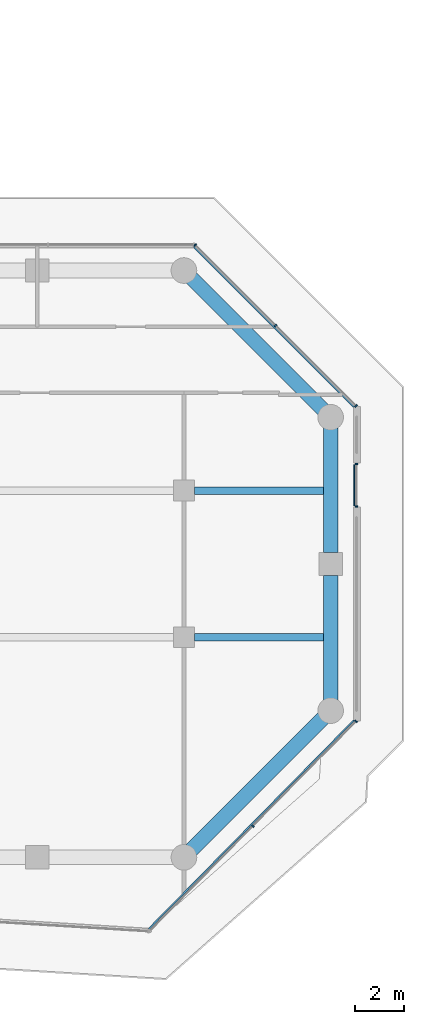
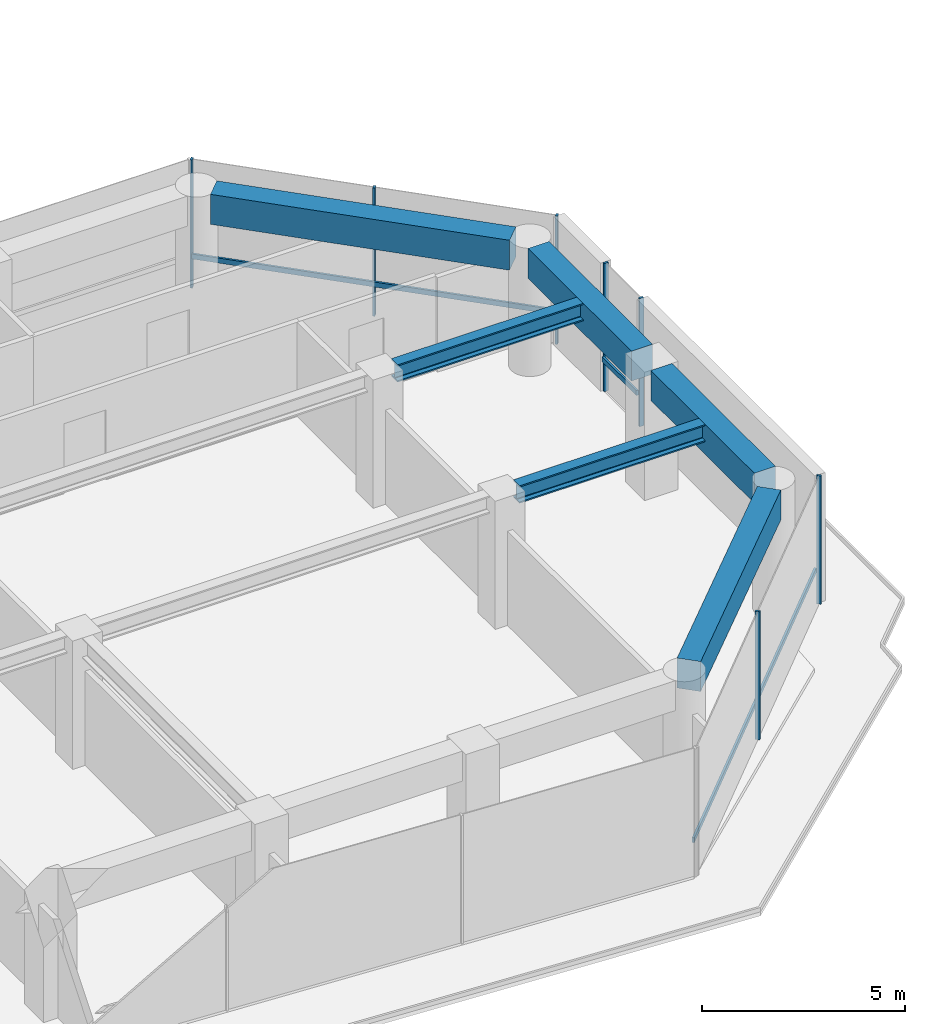
# One storey, part 18 of 27: 10 members, 6 beams, 3 elements without a shape of their own.
"""IFC4 building model written with IfcOpenShell, lengths in metres."""

import ifcopenshell
import ifcopenshell.guid

model = None  # the IFC model being written
_history = None  # IfcOwnerHistory: only IFC2X3 demands one
_inside = {}  # id of a spatial element -> (the spatial element, [elements in it])
_under = {}  # id of a project, library or spatial element -> (it, [spatial elements below it])
_declared = {}  # id of a project -> (the project, [libraries it declares])
_typed = {}  # id of a type object -> (the type object, [elements of that type])
_made_of = {}  # id of a material, layer set ... -> (it, [elements and type objects made of it])


def new_model(schema):
    """Start an empty IFC model of exactly this schema.

    Asked for "IFC4X3", IfcOpenShell would pick the latest addendum, in which some entities
    have other attributes; the version numbers below select the first issue.
    IFC2X3 requires an IfcOwnerHistory on every rooted entity: one is made here for all.
    """
    global model, _history
    if schema == "IFC4X3":
        model = ifcopenshell.file(schema_version=(4, 3, 0, 0))
    else:
        model = ifcopenshell.file(schema=schema)
    _inside.clear()
    _under.clear()
    _declared.clear()
    _typed.clear()
    _made_of.clear()
    _history = None
    if model.schema == "IFC2X3":
        org = make("IfcOrganization", Name="unknown")
        user = make(
            "IfcPersonAndOrganization",
            ThePerson=make("IfcPerson", FamilyName="unknown"),
            TheOrganization=org,
        )
        app = make(
            "IfcApplication",
            ApplicationDeveloper=org,
            Version="unknown",
            ApplicationFullName="unknown",
            ApplicationIdentifier="unknown",
        )
        _history = make(
            "IfcOwnerHistory",
            OwningUser=user,
            OwningApplication=app,
            ChangeAction="ADDED",
            CreationDate=0,
        )
    return model


def make(cls, **values):
    """One entity of the class cls with the attributes given. An attribute that is None is left unset."""
    return model.create_entity(
        cls, **{name: value for name, value in values.items() if value is not None}
    )


def rooted(cls, **values):
    """An entity with a GlobalId (a new one), such as an element, a storey or a relation."""
    return make(cls, GlobalId=ifcopenshell.guid.new(), OwnerHistory=_history, **values)


def si_unit(unit_type, name, prefix=None):
    """IfcSIUnit, for example si_unit("LENGTHUNIT", "METRE", prefix="MILLI")."""
    return make("IfcSIUnit", UnitType=unit_type, Prefix=prefix, Name=name)


def assignment(units):
    """IfcUnitAssignment: the units of a project."""
    return None if units is None else make("IfcUnitAssignment", Units=units)


def point(xyz):
    """IfcCartesianPoint."""
    return None if xyz is None else make("IfcCartesianPoint", Coordinates=xyz)


def direction(xyz):
    """IfcDirection."""
    return None if xyz is None else make("IfcDirection", DirectionRatios=xyz)


def frame(location, z_axis=None, x_axis=None):
    """IfcAxis2Placement3D, a coordinate frame: its origin and axes. An axis left out is left unset."""
    return make(
        "IfcAxis2Placement3D",
        Location=point(location),
        Axis=direction(z_axis),
        RefDirection=direction(x_axis),
    )


def frame_2d(location, x_axis=None):
    """IfcAxis2Placement2D, a coordinate frame in the plane: its origin and x axis."""
    return make(
        "IfcAxis2Placement2D", Location=point(location), RefDirection=direction(x_axis)
    )


def origin():
    """The frame at (0, 0, 0) with its axes left unset."""
    return frame((0.0, 0.0, 0.0))


def origin_2d():
    """The frame at (0, 0) in the plane with its x axis left unset."""
    return frame_2d((0.0, 0.0))


def place(relative_to, where):
    """IfcLocalPlacement: puts the frame where relative to a parent placement (None: the world)."""
    return make(
        "IfcLocalPlacement", PlacementRelTo=relative_to, RelativePlacement=where
    )


def context(
    kind, dimensions, precision=None, world=None, true_north=None, identifier=None
):
    """IfcGeometricRepresentationContext, for example the 3D "Model" context."""
    return make(
        "IfcGeometricRepresentationContext",
        ContextIdentifier=identifier,
        ContextType=kind,
        CoordinateSpaceDimension=dimensions,
        Precision=precision,
        WorldCoordinateSystem=world,
        TrueNorth=true_north,
    )


def subcontext(parent, identifier, kind, view, scale=None):
    """IfcGeometricRepresentationSubContext, for example "Body" below "Model"."""
    return make(
        "IfcGeometricRepresentationSubContext",
        ContextIdentifier=identifier,
        ContextType=kind,
        ParentContext=parent,
        TargetScale=scale,
        TargetView=view,
    )


def project(units=None, contexts=None):
    """IfcProject with its units and contexts."""
    return rooted(
        "IfcProject",
        Name="project",
        RepresentationContexts=contexts,
        UnitsInContext=assignment(units),
    )


def spatial(cls, under=None, at=None, **own):
    """A site, building, storey or space (cls), placed at a placement, below another one or the project."""
    s = rooted(cls, ObjectPlacement=at, **own)
    if under is not None:
        _under.setdefault(under.id(), (under, []))[1].append(s)
    return s


def profile(cls, at=None, kind="AREA", **sizes):
    """A parametric profile (cls). Its sizes go by their IFC names, for example OverallWidth=200.0."""
    return make(cls, ProfileType=kind, Position=at, **sizes)


def rectangle(**sizes):
    """IfcRectangleProfileDef."""
    return profile("IfcRectangleProfileDef", **sizes)


def i_section(**sizes):
    """IfcIShapeProfileDef."""
    return profile("IfcIShapeProfileDef", **sizes)


def extrude(swept, where, along, depth):
    """IfcExtrudedAreaSolid: the profile swept, set in the frame where, extruded along a direction by depth."""
    return make(
        "IfcExtrudedAreaSolid",
        SweptArea=swept,
        Position=where,
        ExtrudedDirection=direction(along),
        Depth=depth,
    )


def shape(context_of_items, identifier, shape_type, items):
    """IfcShapeRepresentation: the items that make up one representation, for example the "Body"."""
    return make(
        "IfcShapeRepresentation",
        ContextOfItems=context_of_items,
        RepresentationIdentifier=identifier,
        RepresentationType=shape_type,
        Items=items,
    )


def material(Name=None, Category=None):
    """IfcMaterial."""
    return make("IfcMaterial", Name=Name, Category=Category)


def layer(
    of_material, thickness, ventilated=None, Name=None, Category=None, Priority=None
):
    """IfcMaterialLayer: one layer of a wall or slab, of a material (None: an air gap)."""
    return make(
        "IfcMaterialLayer",
        Material=of_material,
        LayerThickness=thickness,
        IsVentilated=ventilated,
        Name=Name,
        Category=Category,
        Priority=Priority,
    )


def layer_set(layers, Name=None):
    """IfcMaterialLayerSet."""
    return make("IfcMaterialLayerSet", MaterialLayers=layers, LayerSetName=Name)


def material_profile(
    of_material, cross_section, Name=None, Category=None, Priority=None
):
    """IfcMaterialProfile: a cross section and its material."""
    return make(
        "IfcMaterialProfile",
        Name=Name,
        Material=of_material,
        Profile=cross_section,
        Priority=Priority,
        Category=Category,
    )


def profile_set(profiles, Name=None, composite=None):
    """IfcMaterialProfileSet."""
    return make(
        "IfcMaterialProfileSet",
        Name=Name,
        MaterialProfiles=profiles,
        CompositeProfile=composite,
    )


def made_of(thing, what):
    """Note that an element or type object is made of a material, layer set ...; save() writes the relation."""
    if what is not None:
        _made_of.setdefault(what.id(), (what, []))[1].append(thing)
    return thing


def type_object(cls, material=None, **own):
    """A type object (cls), such as IfcWallType, which elements share."""
    return made_of(rooted(cls, **own), material)


def element(
    cls,
    number,
    at=None,
    inside=None,
    cuts=None,
    type_object=None,
    material=None,
    context=None,
    identifier="Body",
    shape_type=None,
    held_by="IfcProductDefinitionShape",
    body=None,
    shapes=None,
    **own,
):
    """One element of the class cls, such as IfcWall. Its Tag is "e" and its number.

    at: its placement. inside: the storey or other place that contains it. cuts: it is an
    opening in that element (IfcRelVoidsElement). A single representation is given by context,
    identifier, shape_type and body (its items); several are given by shapes. held_by: the class
    of the entity that holds the representations. save() writes the other relations.
    """
    e = rooted(cls, Tag="e%d" % number, ObjectPlacement=at, **own)
    if body is not None:
        shapes = [shape(context, identifier, shape_type, body)]
    if shapes is not None:
        e.Representation = make(held_by, Representations=shapes)
    if inside is not None:
        _inside.setdefault(inside.id(), (inside, []))[1].append(e)
    if cuts is not None:
        rooted(
            "IfcRelVoidsElement", RelatingBuildingElement=cuts, RelatedOpeningElement=e
        )
    if type_object is not None:
        _typed.setdefault(type_object.id(), (type_object, []))[1].append(e)
    return made_of(e, material)


def aggregate(whole, parts):
    """IfcRelAggregates: a whole, such as a stair, and the parts it consists of."""
    return rooted("IfcRelAggregates", RelatingObject=whole, RelatedObjects=parts)


def save(model, path):
    """Write the relations noted so far, then the file.

    IfcRelAggregates (storeys below a building ...), IfcRelContainedInSpatialStructure (elements
    in a storey), IfcRelDefinesByType, IfcRelAssociatesMaterial and IfcRelDeclares: one each for
    every whole, place, type object, material and project.
    """
    for whole, parts in _under.values():
        aggregate(whole, parts)
    for where, things in _inside.values():
        rooted(
            "IfcRelContainedInSpatialStructure",
            RelatedElements=things,
            RelatingStructure=where,
        )
    for kind, things in _typed.values():
        rooted("IfcRelDefinesByType", RelatedObjects=things, RelatingType=kind)
    for what, things in _made_of.values():
        rooted("IfcRelAssociatesMaterial", RelatedObjects=things, RelatingMaterial=what)
    for by, libraries in _declared.values():
        rooted("IfcRelDeclares", RelatingContext=by, RelatedDefinitions=libraries)
    model.write(path)


model = new_model("IFC4")

# Units and contexts
model_context = context("Model", 3, precision=1e-05, world=origin(), true_north=direction((0.0, 1.0)))
body_context = subcontext(model_context, "Body", "Model", "MODEL_VIEW")
ifc_project = project(units=[si_unit("LENGTHUNIT", "METRE"), si_unit("AREAUNIT", "SQUARE_METRE"), si_unit("VOLUMEUNIT", "CUBIC_METRE"), si_unit("PLANEANGLEUNIT", "RADIAN"), si_unit("MASSUNIT", "GRAM", prefix="KILO")], contexts=[model_context])

# Site, building, storey
site_placement = place(None, origin())
site = spatial("IfcSite", under=ifc_project, at=site_placement, CompositionType="ELEMENT")
building_placement = place(site_placement, origin())
building = spatial("IfcBuilding", under=site, at=building_placement, Name="Welwitschia Terrace Campus", CompositionType="ELEMENT")
storey_placement = place(building_placement, frame((0.0, 0.0, 37.39990234375)))
storey = spatial("IfcBuildingStorey", under=building, at=storey_placement, Name="L08", CompositionType="ELEMENT", Elevation=37.39990234375)

# Beams
ifc_material_1 = material(Name="Steel S355", Category="steel")
ifc_material_profile_1 = material_profile(ifc_material_1, i_section(OverallWidth=0.305908203125, OverallDepth=0.52392578125, WebThickness=0.02099609375, FlangeThickness=0.0400390625, FilletRadius=0.027099609375, at=origin_2d()))
ifc_profile_set_1 = profile_set([ifc_material_profile_1], Name="Steel S355")
beam_type_1 = type_object("IfcBeamType", Name="Interior girder HE 500 M", PredefinedType="BEAM", material=ifc_profile_set_1)
for number, where, z_axis, x_axis, name in (
    (1, (60.425537109375, 5.0, 3.588134765625), (1.0, 0.0, 0.0), (0.0, 1.0, 0.0), "Girder GB2"),
    (2, (60.425537109375, 11.0, 3.588134765625), (1.0, 0.0, 0.0), (0.0, 1.0, 0.0), "Girder GB2"),
):
    element("IfcBeam", number, at=place(storey_placement, frame(where, z_axis=z_axis, x_axis=x_axis)), inside=storey, type_object=beam_type_1, Name=name, PredefinedType="BEAM", context=body_context, shape_type="SweptSolid", body=[
        extrude(i_section(OverallWidth=0.305908203125, OverallDepth=0.52392578125, WebThickness=0.02099609375, FlangeThickness=0.0400390625, FilletRadius=0.027099609375, at=origin_2d()), origin(), (0.0, 0.0, 1.0), 5.58447265625),
    ])

# Curtain wall, members
ifc_material_2 = material(Name="Bronze anodised aluminium", Category="aluminium")
ifc_layer = layer(ifc_material_2, 0.1201171875)
ifc_layer_set = layer_set([ifc_layer], Name="Bronze anodised aluminium")
curtain_wall_type = type_object("IfcCurtainWallType", Name="Curtain wall CW2 tower 6000", PredefinedType="NOTDEFINED", material=ifc_layer_set)
curtain_wall_1_placement = place(storey_placement, origin())
curtain_wall_1 = element("IfcCurtainWall", 3, at=curtain_wall_1_placement, inside=storey, type_object=curtain_wall_type, Name="CW L08.5.0", PredefinedType="NOTDEFINED")
ifc_material_3 = material(Name="Bronze anodised aluminium", Category="aluminium")
ifc_material_profile_2 = material_profile(ifc_material_3, rectangle(XDim=0.1201171875, YDim=0.06005859375, at=origin_2d()))
ifc_profile_set_2 = profile_set([ifc_material_profile_2], Name="Bronze anodised aluminium")
member_type_1 = type_object("IfcMemberType", Name="Mullion 60x120", PredefinedType="MULLION", material=ifc_profile_set_2)
member_1_placement = place(storey_placement, frame((62.821533203125, -2.7216796875, 0.0), z_axis=(0.0, 0.0, 1.0), x_axis=(-0.712884742164, 0.701281216339, 0.0)))
member_1 = element("IfcMember", 4, at=member_1_placement, type_object=member_type_1, Name="Mullion L08.5.0.1", PredefinedType="MULLION", context=body_context, shape_type="SweptSolid", body=[
    extrude(rectangle(XDim=0.1201171875, YDim=0.06005859375, at=origin_2d()), origin(), (0.0, 0.0, 1.0), 3.85009765625),
])
member_2_placement = place(storey_placement, frame((67.036865234375, 1.5634765625, 0.0), z_axis=(0.0, 0.0, 1.0), x_axis=(-0.712884742164, 0.701281216339, 0.0)))
member_2 = element("IfcMember", 5, at=member_2_placement, type_object=member_type_1, Name="Mullion L08.5.0.2", PredefinedType="MULLION", context=body_context, shape_type="SweptSolid", body=[
    extrude(rectangle(XDim=0.1201171875, YDim=0.06005859375, at=origin_2d()), origin(), (0.0, 0.0, 1.0), 3.85009765625),
])

curtain_wall_2_placement = place(storey_placement, origin())
curtain_wall_2 = element("IfcCurtainWall", 6, at=curtain_wall_2_placement, inside=storey, type_object=curtain_wall_type, Name="CW L08.6.S0", PredefinedType="NOTDEFINED")
member_3_placement = place(storey_placement, frame((67.05810546875, 10.35498046875, 0.0), z_axis=(0.0, 0.0, 1.0), x_axis=(-1.0, 0.0, 0.0)))
member_3 = element("IfcMember", 7, at=member_3_placement, type_object=member_type_1, Name="Mullion L08.6.S0.0", PredefinedType="MULLION", context=body_context, shape_type="SweptSolid", body=[
    extrude(rectangle(XDim=0.1201171875, YDim=0.06005859375, at=origin_2d()), origin(), (0.0, 0.0, 1.0), 3.85009765625),
])
member_4_placement = place(storey_placement, frame((67.05810546875, 12.094970703125, 0.0), z_axis=(0.0, 0.0, 1.0), x_axis=(-1.0, 0.0, 0.0)))
member_4 = element("IfcMember", 8, at=member_4_placement, type_object=member_type_1, Name="Mullion L08.6.S0.1", PredefinedType="MULLION", context=body_context, shape_type="SweptSolid", body=[
    extrude(rectangle(XDim=0.1201171875, YDim=0.06005859375, at=origin_2d()), origin(), (0.0, 0.0, 1.0), 3.85009765625),
])

curtain_wall_3_placement = place(storey_placement, origin())
curtain_wall_3 = element("IfcCurtainWall", 9, at=curtain_wall_3_placement, inside=storey, type_object=curtain_wall_type, Name="CW L08.7.0", PredefinedType="NOTDEFINED")
member_5_placement = place(storey_placement, frame((67.036865234375, 14.45947265625, 0.0), z_axis=(0.0, 0.0, 1.0), x_axis=(-0.707106781187, -0.707106781187, 0.0)))
member_5 = element("IfcMember", 10, at=member_5_placement, type_object=member_type_1, Name="Mullion L08.7.0.0", PredefinedType="MULLION", context=body_context, shape_type="SweptSolid", body=[
    extrude(rectangle(XDim=0.1201171875, YDim=0.06005859375, at=origin_2d()), origin(), (0.0, 0.0, 1.0), 3.85009765625),
])
member_6_placement = place(storey_placement, frame((63.748046875, 17.748046875, 0.0), z_axis=(0.0, 0.0, 1.0), x_axis=(-0.707106781187, -0.707106781187, 0.0)))
member_6 = element("IfcMember", 11, at=member_6_placement, type_object=member_type_1, Name="Mullion L08.7.0.1", PredefinedType="MULLION", context=body_context, shape_type="SweptSolid", body=[
    extrude(rectangle(XDim=0.1201171875, YDim=0.06005859375, at=origin_2d()), origin(), (0.0, 0.0, 1.0), 3.85009765625),
])
member_7_placement = place(storey_placement, frame((60.45947265625, 21.036865234375, 0.0), z_axis=(0.0, 0.0, 1.0), x_axis=(-0.707106781187, -0.707106781187, 0.0)))
member_7 = element("IfcMember", 12, at=member_7_placement, type_object=member_type_1, Name="Mullion L08.7.0.2", PredefinedType="MULLION", context=body_context, shape_type="SweptSolid", body=[
    extrude(rectangle(XDim=0.1201171875, YDim=0.06005859375, at=origin_2d()), origin(), (0.0, 0.0, 1.0), 3.85009765625),
])

# Beams
ifc_material_4 = material(Name="Concrete C60/75", Category="concrete")
ifc_material_profile_3 = material_profile(ifc_material_4, rectangle(XDim=0.60009765625, YDim=0.89990234375, at=origin_2d()))
ifc_profile_set_3 = profile_set([ifc_material_profile_3], Name="Concrete C60/75")
beam_type_2 = type_object("IfcBeamType", Name="Ring spandrel 600x900", PredefinedType="SPANDREL", material=ifc_profile_set_3)
beam_1_placement = place(storey_placement, frame((60.30517578125, -3.69482421875, 3.400146484375), z_axis=(0.707106781187, 0.707106781187, 0.0), x_axis=(-0.707106781187, 0.707106781187, 0.0)))
element("IfcBeam", 13, at=beam_1_placement, inside=storey, type_object=beam_type_2, Name="Spandrel SP2", PredefinedType="SPANDREL", context=body_context, shape_type="SweptSolid", body=[
    extrude(rectangle(XDim=0.60009765625, YDim=0.89990234375, at=origin_2d()), origin(), (0.0, 0.0, 1.0), 7.6220703125),
])
for number, where, z_axis, x_axis, name in (
    (14, (66.0, 2.431396484375, 3.400146484375), (0.0, 1.0, 0.0), (-1.0, 0.0, 0.0), "Spandrel SP2"),
    (15, (66.0, 8.4755859375, 3.400146484375), (0.0, 1.0, 0.0), (-1.0, 0.0, 0.0), "Spandrel SP2"),
):
    element("IfcBeam", number, at=place(storey_placement, frame(where, z_axis=z_axis, x_axis=x_axis)), inside=storey, type_object=beam_type_2, Name=name, PredefinedType="SPANDREL", context=body_context, shape_type="SweptSolid", body=[
        extrude(rectangle(XDim=0.60009765625, YDim=0.89990234375, at=origin_2d()), origin(), (0.0, 0.0, 1.0), 5.093017578125),
    ])
beam_2_placement = place(storey_placement, frame((65.69482421875, 14.30517578125, 3.400146484375), z_axis=(-0.707106781187, 0.707106781187, 0.0), x_axis=(-0.707106781187, -0.707106781187, 0.0)))
element("IfcBeam", 16, at=beam_2_placement, inside=storey, type_object=beam_type_2, Name="Spandrel SP2", PredefinedType="SPANDREL", context=body_context, shape_type="SweptSolid", body=[
    extrude(rectangle(XDim=0.60009765625, YDim=0.89990234375, at=origin_2d()), origin(), (0.0, 0.0, 1.0), 7.6220703125),
])

# Member
ifc_material_5 = material(Name="Bronze anodised aluminium", Category="aluminium")
ifc_material_profile_4 = material_profile(ifc_material_5, rectangle(XDim=0.06005859375, YDim=0.14990234375, at=origin_2d()))
ifc_profile_set_4 = profile_set([ifc_material_profile_4], Name="Bronze anodised aluminium")
member_type_2 = type_object("IfcMemberType", Name="Transom 60x150", PredefinedType="USERDEFINED", material=ifc_profile_set_4)
member_8_placement = place(storey_placement, frame((58.56298828125, -6.92236328125, 1.0), z_axis=(0.701276387775, 0.712889492101, 0.0), x_axis=(-0.712889492101, 0.701276387775, 0.0)))
member_8 = element("IfcMember", 17, at=member_8_placement, type_object=member_type_2, Name="Transom L08.5.0", ObjectType="TRANSOM", PredefinedType="USERDEFINED", context=body_context, shape_type="SweptSolid", body=[
    extrude(rectangle(XDim=0.06005859375, YDim=0.14990234375, at=origin_2d()), origin(), (0.0, 0.0, 1.0), 11.9619140625),
])

aggregate(curtain_wall_1, [member_1, member_2, member_8])

member_9_placement = place(storey_placement, frame((66.968017578125, 10.385009765625, 1.0), z_axis=(0.0, 1.0, 0.0), x_axis=(-1.0, 0.0, 0.0)))
member_9 = element("IfcMember", 18, at=member_9_placement, type_object=member_type_2, Name="Transom L08.6.S0", ObjectType="TRANSOM", PredefinedType="USERDEFINED", context=body_context, shape_type="SweptSolid", body=[
    extrude(rectangle(XDim=0.06005859375, YDim=0.14990234375, at=origin_2d()), origin(), (0.0, 0.0, 1.0), 1.679931640625),
])

aggregate(curtain_wall_2, [member_3, member_4, member_9])

member_10_placement = place(storey_placement, frame((66.951904296875, 14.4169921875, 1.0), z_axis=(-0.707106781187, 0.707106781187, 0.0), x_axis=(-0.707106781187, -0.707106781187, 0.0)))
member_10 = element("IfcMember", 19, at=member_10_placement, type_object=member_type_2, Name="Transom L08.7.0", ObjectType="TRANSOM", PredefinedType="USERDEFINED", context=body_context, shape_type="SweptSolid", body=[
    extrude(rectangle(XDim=0.06005859375, YDim=0.14990234375, at=origin_2d()), origin(), (0.0, 0.0, 1.0), 9.24169921875),
])

aggregate(curtain_wall_3, [member_5, member_6, member_7, member_10])

save(model, "model.ifc")
